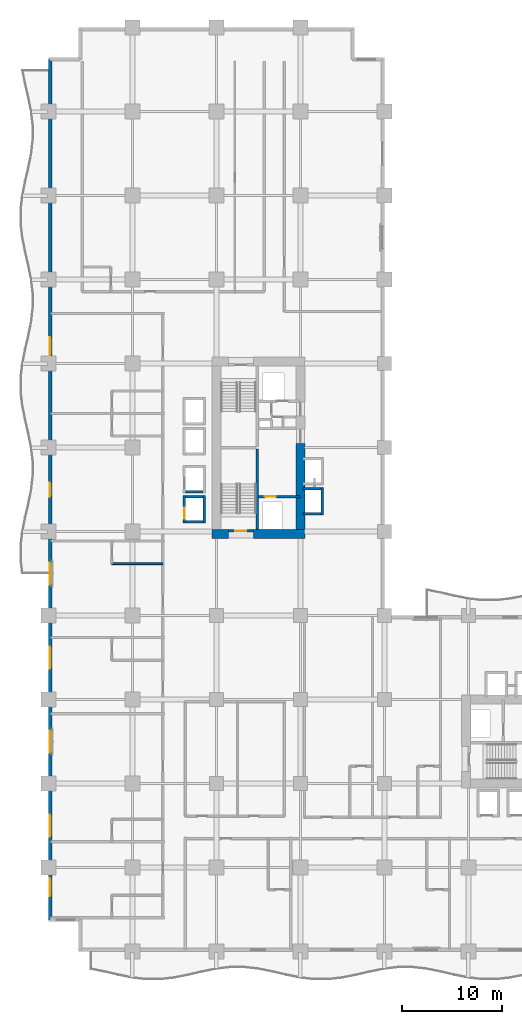
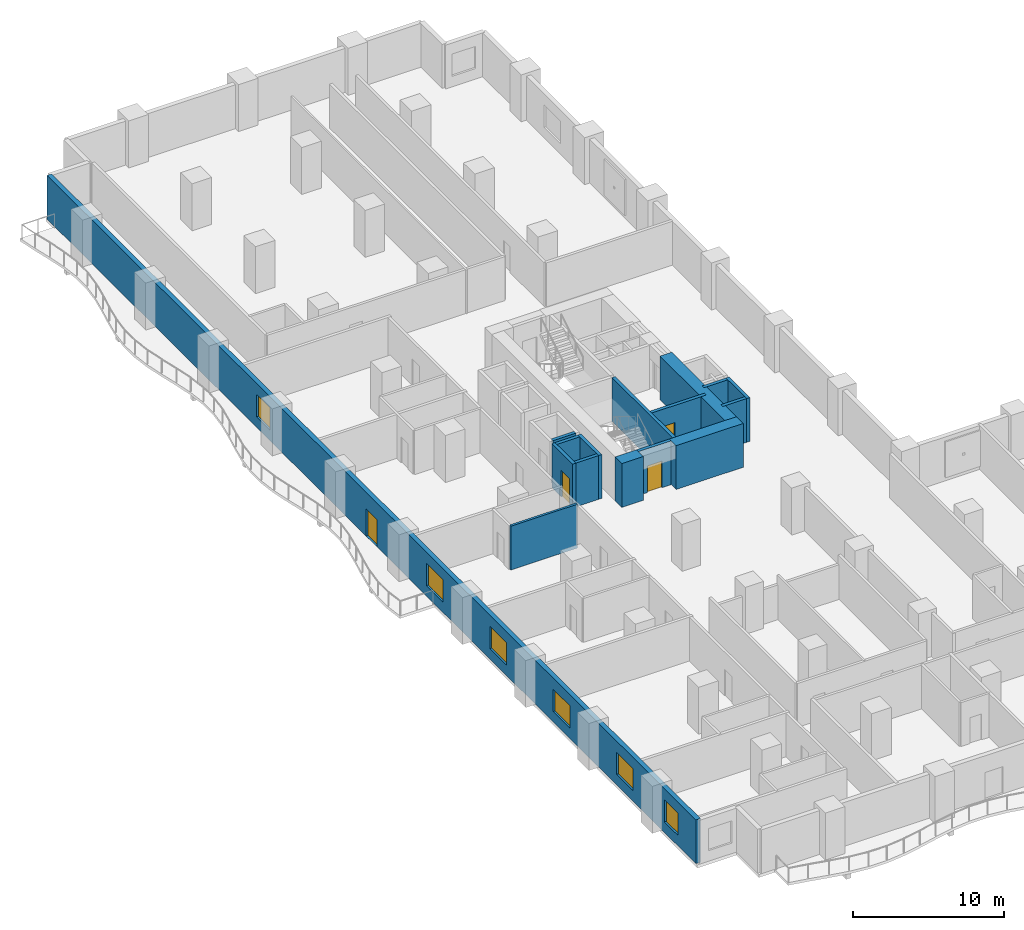
# One storey, part 9 of 20: 16 walls, 6 windows, 4 doors, 10 openings.
"""IFC4 building model written with IfcOpenShell, lengths in metres."""

import ifcopenshell
import ifcopenshell.guid

model = None  # the IFC model being written
_history = None  # IfcOwnerHistory: only IFC2X3 demands one
_inside = {}  # id of a spatial element -> (the spatial element, [elements in it])
_under = {}  # id of a project, library or spatial element -> (it, [spatial elements below it])
_declared = {}  # id of a project -> (the project, [libraries it declares])
_typed = {}  # id of a type object -> (the type object, [elements of that type])
_made_of = {}  # id of a material, layer set ... -> (it, [elements and type objects made of it])


def new_model(schema):
    """Start an empty IFC model of exactly this schema.

    Asked for "IFC4X3", IfcOpenShell would pick the latest addendum, in which some entities
    have other attributes; the version numbers below select the first issue.
    IFC2X3 requires an IfcOwnerHistory on every rooted entity: one is made here for all.
    """
    global model, _history
    if schema == "IFC4X3":
        model = ifcopenshell.file(schema_version=(4, 3, 0, 0))
    else:
        model = ifcopenshell.file(schema=schema)
    _inside.clear()
    _under.clear()
    _declared.clear()
    _typed.clear()
    _made_of.clear()
    _history = None
    if model.schema == "IFC2X3":
        org = make("IfcOrganization", Name="unknown")
        user = make(
            "IfcPersonAndOrganization",
            ThePerson=make("IfcPerson", FamilyName="unknown"),
            TheOrganization=org,
        )
        app = make(
            "IfcApplication",
            ApplicationDeveloper=org,
            Version="unknown",
            ApplicationFullName="unknown",
            ApplicationIdentifier="unknown",
        )
        _history = make(
            "IfcOwnerHistory",
            OwningUser=user,
            OwningApplication=app,
            ChangeAction="ADDED",
            CreationDate=0,
        )
    return model


def make(cls, **values):
    """One entity of the class cls with the attributes given. An attribute that is None is left unset."""
    return model.create_entity(
        cls, **{name: value for name, value in values.items() if value is not None}
    )


def rooted(cls, **values):
    """An entity with a GlobalId (a new one), such as an element, a storey or a relation."""
    return make(cls, GlobalId=ifcopenshell.guid.new(), OwnerHistory=_history, **values)


def si_unit(unit_type, name, prefix=None):
    """IfcSIUnit, for example si_unit("LENGTHUNIT", "METRE", prefix="MILLI")."""
    return make("IfcSIUnit", UnitType=unit_type, Prefix=prefix, Name=name)


def assignment(units):
    """IfcUnitAssignment: the units of a project."""
    return None if units is None else make("IfcUnitAssignment", Units=units)


def point(xyz):
    """IfcCartesianPoint."""
    return None if xyz is None else make("IfcCartesianPoint", Coordinates=xyz)


def direction(xyz):
    """IfcDirection."""
    return None if xyz is None else make("IfcDirection", DirectionRatios=xyz)


def frame(location, z_axis=None, x_axis=None):
    """IfcAxis2Placement3D, a coordinate frame: its origin and axes. An axis left out is left unset."""
    return make(
        "IfcAxis2Placement3D",
        Location=point(location),
        Axis=direction(z_axis),
        RefDirection=direction(x_axis),
    )


def frame_2d(location, x_axis=None):
    """IfcAxis2Placement2D, a coordinate frame in the plane: its origin and x axis."""
    return make(
        "IfcAxis2Placement2D", Location=point(location), RefDirection=direction(x_axis)
    )


def origin():
    """The frame at (0, 0, 0) with its axes left unset."""
    return frame((0.0, 0.0, 0.0))


def place(relative_to, where):
    """IfcLocalPlacement: puts the frame where relative to a parent placement (None: the world)."""
    return make(
        "IfcLocalPlacement", PlacementRelTo=relative_to, RelativePlacement=where
    )


def context(
    kind, dimensions, precision=None, world=None, true_north=None, identifier=None
):
    """IfcGeometricRepresentationContext, for example the 3D "Model" context."""
    return make(
        "IfcGeometricRepresentationContext",
        ContextIdentifier=identifier,
        ContextType=kind,
        CoordinateSpaceDimension=dimensions,
        Precision=precision,
        WorldCoordinateSystem=world,
        TrueNorth=true_north,
    )


def subcontext(parent, identifier, kind, view, scale=None):
    """IfcGeometricRepresentationSubContext, for example "Body" below "Model"."""
    return make(
        "IfcGeometricRepresentationSubContext",
        ContextIdentifier=identifier,
        ContextType=kind,
        ParentContext=parent,
        TargetScale=scale,
        TargetView=view,
    )


def project(units=None, contexts=None):
    """IfcProject with its units and contexts."""
    return rooted(
        "IfcProject",
        Name="project",
        RepresentationContexts=contexts,
        UnitsInContext=assignment(units),
    )


def spatial(cls, under=None, at=None, **own):
    """A site, building, storey or space (cls), placed at a placement, below another one or the project."""
    s = rooted(cls, ObjectPlacement=at, **own)
    if under is not None:
        _under.setdefault(under.id(), (under, []))[1].append(s)
    return s


def profile(cls, at=None, kind="AREA", **sizes):
    """A parametric profile (cls). Its sizes go by their IFC names, for example OverallWidth=200.0."""
    return make(cls, ProfileType=kind, Position=at, **sizes)


def rectangle(**sizes):
    """IfcRectangleProfileDef."""
    return profile("IfcRectangleProfileDef", **sizes)


def extrude(swept, where, along, depth):
    """IfcExtrudedAreaSolid: the profile swept, set in the frame where, extruded along a direction by depth."""
    return make(
        "IfcExtrudedAreaSolid",
        SweptArea=swept,
        Position=where,
        ExtrudedDirection=direction(along),
        Depth=depth,
    )


def shape(context_of_items, identifier, shape_type, items):
    """IfcShapeRepresentation: the items that make up one representation, for example the "Body"."""
    return make(
        "IfcShapeRepresentation",
        ContextOfItems=context_of_items,
        RepresentationIdentifier=identifier,
        RepresentationType=shape_type,
        Items=items,
    )


def material(Name=None, Category=None):
    """IfcMaterial."""
    return make("IfcMaterial", Name=Name, Category=Category)


def layer(
    of_material, thickness, ventilated=None, Name=None, Category=None, Priority=None
):
    """IfcMaterialLayer: one layer of a wall or slab, of a material (None: an air gap)."""
    return make(
        "IfcMaterialLayer",
        Material=of_material,
        LayerThickness=thickness,
        IsVentilated=ventilated,
        Name=Name,
        Category=Category,
        Priority=Priority,
    )


def layer_set(layers, Name=None):
    """IfcMaterialLayerSet."""
    return make("IfcMaterialLayerSet", MaterialLayers=layers, LayerSetName=Name)


def made_of(thing, what):
    """Note that an element or type object is made of a material, layer set ...; save() writes the relation."""
    if what is not None:
        _made_of.setdefault(what.id(), (what, []))[1].append(thing)
    return thing


def type_object(cls, material=None, **own):
    """A type object (cls), such as IfcWallType, which elements share."""
    return made_of(rooted(cls, **own), material)


def element(
    cls,
    number,
    at=None,
    inside=None,
    cuts=None,
    type_object=None,
    material=None,
    context=None,
    identifier="Body",
    shape_type=None,
    held_by="IfcProductDefinitionShape",
    body=None,
    shapes=None,
    **own,
):
    """One element of the class cls, such as IfcWall. Its Tag is "e" and its number.

    at: its placement. inside: the storey or other place that contains it. cuts: it is an
    opening in that element (IfcRelVoidsElement). A single representation is given by context,
    identifier, shape_type and body (its items); several are given by shapes. held_by: the class
    of the entity that holds the representations. save() writes the other relations.
    """
    e = rooted(cls, Tag="e%d" % number, ObjectPlacement=at, **own)
    if body is not None:
        shapes = [shape(context, identifier, shape_type, body)]
    if shapes is not None:
        e.Representation = make(held_by, Representations=shapes)
    if inside is not None:
        _inside.setdefault(inside.id(), (inside, []))[1].append(e)
    if cuts is not None:
        rooted(
            "IfcRelVoidsElement", RelatingBuildingElement=cuts, RelatedOpeningElement=e
        )
    if type_object is not None:
        _typed.setdefault(type_object.id(), (type_object, []))[1].append(e)
    return made_of(e, material)


def fill(opening, filler):
    """IfcRelFillsElement: the door or window that sits in an opening."""
    return rooted(
        "IfcRelFillsElement",
        RelatingOpeningElement=opening,
        RelatedBuildingElement=filler,
    )


def aggregate(whole, parts):
    """IfcRelAggregates: a whole, such as a stair, and the parts it consists of."""
    return rooted("IfcRelAggregates", RelatingObject=whole, RelatedObjects=parts)


def save(model, path):
    """Write the relations noted so far, then the file.

    IfcRelAggregates (storeys below a building ...), IfcRelContainedInSpatialStructure (elements
    in a storey), IfcRelDefinesByType, IfcRelAssociatesMaterial and IfcRelDeclares: one each for
    every whole, place, type object, material and project.
    """
    for whole, parts in _under.values():
        aggregate(whole, parts)
    for where, things in _inside.values():
        rooted(
            "IfcRelContainedInSpatialStructure",
            RelatedElements=things,
            RelatingStructure=where,
        )
    for kind, things in _typed.values():
        rooted("IfcRelDefinesByType", RelatedObjects=things, RelatingType=kind)
    for what, things in _made_of.values():
        rooted("IfcRelAssociatesMaterial", RelatedObjects=things, RelatingMaterial=what)
    for by, libraries in _declared.values():
        rooted("IfcRelDeclares", RelatingContext=by, RelatedDefinitions=libraries)
    model.write(path)


model = new_model("IFC4")

# Units and contexts
model_context = context("Model", 3, precision=1e-05, world=origin(), true_north=direction((0.0, 1.0)))
body_context = subcontext(model_context, "Body", "Model", "MODEL_VIEW")
ifc_project = project(units=[si_unit("LENGTHUNIT", "METRE"), si_unit("AREAUNIT", "SQUARE_METRE"), si_unit("VOLUMEUNIT", "CUBIC_METRE"), si_unit("PLANEANGLEUNIT", "RADIAN"), si_unit("MASSUNIT", "GRAM", prefix="KILO")], contexts=[model_context])

# Site, building, storey
site_placement = place(None, origin())
site = spatial("IfcSite", under=ifc_project, at=site_placement, CompositionType="ELEMENT")
building_placement = place(site_placement, origin())
building = spatial("IfcBuilding", under=site, at=building_placement, Name="Koriwani Terraces Tower", CompositionType="ELEMENT")
storey_placement = place(building_placement, frame((0.0, 0.0, 73.800048828125)))
storey = spatial("IfcBuildingStorey", under=building, at=storey_placement, Name="L17", CompositionType="ELEMENT", Elevation=73.800048828125)

# Walls
ifc_material_1 = material(Name="Concrete C60/75", Category="concrete")
ifc_layer_1 = layer(ifc_material_1, 0.89990234375, Name="Concrete C60/75")
ifc_layer_set_1 = layer_set([ifc_layer_1], Name="Concrete C60/75")
wall_type_1 = type_object("IfcWallType", Name="WALL_CORE_RC_900", PredefinedType="SHEAR", material=ifc_layer_set_1)
wall_1_placement = place(storey_placement, frame((16.35009765625, 41.75, 0.0), z_axis=(0.0, 0.0, 1.0), x_axis=(1.0, 0.0, 0.0)))
element("IfcWall", 1, at=wall_1_placement, inside=storey, type_object=wall_type_1, Name="L17 West Split Core Shear Wall S1", PredefinedType="SHEAR", context=body_context, shape_type="SweptSolid", body=[
    extrude(rectangle(XDim=1.64990234375, YDim=0.89990234375, at=frame_2d((0.824951171875, 0.0))), origin(), (0.0, 0.0, 1.0), 3.550048828125),
])
wall_2_placement = place(storey_placement, frame((20.5, 41.75, 0.0), z_axis=(0.0, 0.0, 1.0), x_axis=(1.0, 0.0, 0.0)))
element("IfcWall", 2, at=wall_2_placement, inside=storey, type_object=wall_type_1, Name="L17 West Split Core Shear Wall S2", PredefinedType="SHEAR", context=body_context, shape_type="SweptSolid", body=[
    extrude(rectangle(XDim=5.14990234375, YDim=0.89990234375, at=frame_2d((2.574951171875, 0.0))), origin(), (0.0, 0.0, 1.0), 3.550048828125),
])
wall_3_placement = place(storey_placement, frame((25.199951171875, 42.199951171875, 0.0), z_axis=(0.0, 0.0, 1.0), x_axis=(0.0, 1.0, 0.0)))
element("IfcWall", 3, at=wall_3_placement, inside=storey, type_object=wall_type_1, Name="L17 West Split Core Shear Wall E1", PredefinedType="SHEAR", context=body_context, shape_type="SweptSolid", body=[
    extrude(rectangle(XDim=8.60009765625, YDim=0.89990234375, at=frame_2d((4.300048828125, 0.0))), origin(), (0.0, 0.0, 1.0), 3.550048828125),
])

# Wall, openings, door, windows
ifc_material_2 = material(Name="Concrete C50/60", Category="concrete")
ifc_layer_2 = layer(ifc_material_2, 0.35009765625, Name="Concrete C50/60")
ifc_layer_set_2 = layer_set([ifc_layer_2], Name="Concrete C50/60")
wall_type_2 = type_object("IfcWallType", Name="WALL_EXT_BRUTALIST_350", PredefinedType="STANDARD", material=ifc_layer_set_2)
wall_4_placement = place(storey_placement, frame((0.175048828125, 3.175048828125, 0.0), z_axis=(0.0, 0.0, 1.0), x_axis=(0.0, 1.0, 0.0)))
wall_4 = element("IfcWall", 4, at=wall_4_placement, inside=storey, type_object=wall_type_2, Name="L17 Fair-Faced Brutalist Exterior Wall (W)", PredefinedType="STANDARD", context=body_context, shape_type="SweptSolid", body=[
    extrude(rectangle(XDim=86.050048828125, YDim=0.35009765625, at=frame_2d((43.02490234375, 0.0))), origin(), (0.0, 0.0, 1.0), 3.550048828125),
])
opening_1_placement = place(wall_4_placement, frame((42.324951171875, 0.0, 0.0)))
opening_1 = element("IfcOpeningElement", 5, at=opening_1_placement, cuts=wall_4, Name="Opening D-09", PredefinedType="OPENING", context=body_context, shape_type="SweptSolid", body=[
    extrude(rectangle(XDim=1.39990234375, YDim=2.199951171875, at=frame_2d((0.699951171875, 1.10009765625))), frame((0.0, 0.18505859375, 0.0), z_axis=(0.0, -1.0, 0.0), x_axis=(1.0, 0.0, 0.0)), (0.0, 0.0, 1.0), 0.3701171875),
])
opening_2_placement = place(wall_4_placement, frame((8.324951171875, 0.0, 0.85009765625)))
opening_2 = element("IfcOpeningElement", 6, at=opening_2_placement, cuts=wall_4, Name="Opening W-01", PredefinedType="OPENING", context=body_context, shape_type="SweptSolid", body=[
    extrude(rectangle(XDim=2.199951171875, YDim=1.800048828125, at=frame_2d((1.10009765625, 0.89990234375))), frame((0.0, 0.18505859375, 0.0), z_axis=(0.0, -1.0, 0.0), x_axis=(1.0, 0.0, 0.0)), (0.0, 0.0, 1.0), 0.3701171875),
])
opening_3_placement = place(wall_4_placement, frame((16.72509765625, 0.0, 0.85009765625)))
opening_3 = element("IfcOpeningElement", 7, at=opening_3_placement, cuts=wall_4, Name="Opening W-01", PredefinedType="OPENING", context=body_context, shape_type="SweptSolid", body=[
    extrude(rectangle(XDim=2.199951171875, YDim=1.800048828125, at=frame_2d((1.10009765625, 0.89990234375))), frame((0.0, 0.18505859375, 0.0), z_axis=(0.0, -1.0, 0.0), x_axis=(1.0, 0.0, 0.0)), (0.0, 0.0, 1.0), 0.3701171875),
])
opening_4_placement = place(wall_4_placement, frame((25.125, 0.0, 0.85009765625)))
opening_4 = element("IfcOpeningElement", 8, at=opening_4_placement, cuts=wall_4, Name="Opening W-01", PredefinedType="OPENING", context=body_context, shape_type="SweptSolid", body=[
    extrude(rectangle(XDim=2.199951171875, YDim=1.800048828125, at=frame_2d((1.10009765625, 0.89990234375))), frame((0.0, 0.18505859375, 0.0), z_axis=(0.0, -1.0, 0.0), x_axis=(1.0, 0.0, 0.0)), (0.0, 0.0, 1.0), 0.3701171875),
])
opening_5_placement = place(wall_4_placement, frame((33.52490234375, 0.0, 0.85009765625)))
opening_5 = element("IfcOpeningElement", 9, at=opening_5_placement, cuts=wall_4, Name="Opening W-01", PredefinedType="OPENING", context=body_context, shape_type="SweptSolid", body=[
    extrude(rectangle(XDim=2.199951171875, YDim=1.800048828125, at=frame_2d((1.10009765625, 0.89990234375))), frame((0.0, 0.18505859375, 0.0), z_axis=(0.0, -1.0, 0.0), x_axis=(1.0, 0.0, 0.0)), (0.0, 0.0, 1.0), 0.3701171875),
])
opening_6_placement = place(wall_4_placement, frame((2.375, 0.0, 0.85009765625)))
opening_6 = element("IfcOpeningElement", 10, at=opening_6_placement, cuts=wall_4, Name="Opening W-04", PredefinedType="OPENING", context=body_context, shape_type="SweptSolid", body=[
    extrude(rectangle(XDim=1.800048828125, YDim=1.800048828125, at=frame_2d((0.89990234375, 0.89990234375))), frame((0.0, 0.18505859375, 0.0), z_axis=(0.0, -1.0, 0.0), x_axis=(1.0, 0.0, 0.0)), (0.0, 0.0, 1.0), 0.3701171875),
])
opening_7_placement = place(wall_4_placement, frame((56.47509765625, 0.0, 0.85009765625)))
opening_7 = element("IfcOpeningElement", 11, at=opening_7_placement, cuts=wall_4, Name="Opening W-04", PredefinedType="OPENING", context=body_context, shape_type="SweptSolid", body=[
    extrude(rectangle(XDim=1.800048828125, YDim=1.800048828125, at=frame_2d((0.89990234375, 0.89990234375))), frame((0.0, 0.18505859375, 0.0), z_axis=(0.0, -1.0, 0.0), x_axis=(1.0, 0.0, 0.0)), (0.0, 0.0, 1.0), 0.3701171875),
])
ifc_material_3 = material(Name="Anodised Bronze Aluminium", Category="aluminium")
door_type_1 = type_object("IfcDoorType", Name="DOOR_BALCONY_GLAZED_1400X2200", OperationType="NOTDEFINED", PredefinedType="DOOR", material=ifc_material_3)
door_1_placement = place(opening_1_placement, origin())
door_1 = element("IfcDoor", 12, at=door_1_placement, inside=storey, type_object=door_type_1, Name="L17 West Balcony Glazed Door", OperationType="SINGLE_SWING_LEFT", OverallHeight=2.199951171875, OverallWidth=1.39990234375, PredefinedType="DOOR", context=body_context, shape_type="SweptSolid", body=[
    extrude(rectangle(XDim=1.39990234375, YDim=2.199951171875, at=frame_2d((0.699951171875, 1.10009765625))), frame((0.0, 0.02490234375, 0.0), z_axis=(0.0, -1.0, 0.0), x_axis=(1.0, 0.0, 0.0)), (0.0, 0.0, 1.0), 0.050048828125),
])
fill(opening_1, door_1)
ifc_material_4 = material(Name="Tempered Laminated Low-E Glass", Category="glass")
window_type_1 = type_object("IfcWindowType", Name="WIN_HOTEL_STD_2200X1800", PartitioningType="DOUBLE_PANEL_VERTICAL", PredefinedType="WINDOW", material=ifc_material_4)
window_1_placement = place(opening_2_placement, origin())
window_1 = element("IfcWindow", 13, at=window_1_placement, inside=storey, type_object=window_type_1, Name="L17 Exterior Window (W-3)", OverallHeight=1.800048828125, OverallWidth=2.199951171875, PartitioningType="SINGLE_PANEL", PredefinedType="WINDOW", context=body_context, shape_type="SweptSolid", body=[
    extrude(rectangle(XDim=2.199951171875, YDim=1.800048828125, at=frame_2d((1.10009765625, 0.89990234375))), frame((0.0, 0.030029296875, 0.0), z_axis=(0.0, -1.0, 0.0), x_axis=(1.0, 0.0, 0.0)), (0.0, 0.0, 1.0), 0.06005859375),
])
fill(opening_2, window_1)
window_2_placement = place(opening_3_placement, origin())
window_2 = element("IfcWindow", 14, at=window_2_placement, inside=storey, type_object=window_type_1, Name="L17 Exterior Window (W-6)", OverallHeight=1.800048828125, OverallWidth=2.199951171875, PartitioningType="SINGLE_PANEL", PredefinedType="WINDOW", context=body_context, shape_type="SweptSolid", body=[
    extrude(rectangle(XDim=2.199951171875, YDim=1.800048828125, at=frame_2d((1.10009765625, 0.89990234375))), frame((0.0, 0.030029296875, 0.0), z_axis=(0.0, -1.0, 0.0), x_axis=(1.0, 0.0, 0.0)), (0.0, 0.0, 1.0), 0.06005859375),
])
fill(opening_3, window_2)
window_3_placement = place(opening_4_placement, origin())
window_3 = element("IfcWindow", 15, at=window_3_placement, inside=storey, type_object=window_type_1, Name="L17 Exterior Window (W-9)", OverallHeight=1.800048828125, OverallWidth=2.199951171875, PartitioningType="SINGLE_PANEL", PredefinedType="WINDOW", context=body_context, shape_type="SweptSolid", body=[
    extrude(rectangle(XDim=2.199951171875, YDim=1.800048828125, at=frame_2d((1.10009765625, 0.89990234375))), frame((0.0, 0.030029296875, 0.0), z_axis=(0.0, -1.0, 0.0), x_axis=(1.0, 0.0, 0.0)), (0.0, 0.0, 1.0), 0.06005859375),
])
fill(opening_4, window_3)
window_4_placement = place(opening_5_placement, origin())
window_4 = element("IfcWindow", 16, at=window_4_placement, inside=storey, type_object=window_type_1, Name="L17 Exterior Window (W-12)", OverallHeight=1.800048828125, OverallWidth=2.199951171875, PartitioningType="SINGLE_PANEL", PredefinedType="WINDOW", context=body_context, shape_type="SweptSolid", body=[
    extrude(rectangle(XDim=2.199951171875, YDim=1.800048828125, at=frame_2d((1.10009765625, 0.89990234375))), frame((0.0, 0.030029296875, 0.0), z_axis=(0.0, -1.0, 0.0), x_axis=(1.0, 0.0, 0.0)), (0.0, 0.0, 1.0), 0.06005859375),
])
fill(opening_5, window_4)
window_type_2 = type_object("IfcWindowType", Name="WIN_RES_BED_1800X1800", PartitioningType="DOUBLE_PANEL_VERTICAL", PredefinedType="WINDOW", material=ifc_material_4)
window_5_placement = place(opening_6_placement, origin())
window_5 = element("IfcWindow", 17, at=window_5_placement, inside=storey, type_object=window_type_2, Name="L17 Exterior Window (W-R36)", OverallHeight=1.800048828125, OverallWidth=1.800048828125, PartitioningType="SINGLE_PANEL", PredefinedType="WINDOW", context=body_context, shape_type="SweptSolid", body=[
    extrude(rectangle(XDim=1.800048828125, YDim=1.800048828125, at=frame_2d((0.89990234375, 0.89990234375))), frame((0.0, 0.030029296875, 0.0), z_axis=(0.0, -1.0, 0.0), x_axis=(1.0, 0.0, 0.0)), (0.0, 0.0, 1.0), 0.06005859375),
])
fill(opening_6, window_5)
window_6_placement = place(opening_7_placement, origin())
window_6 = element("IfcWindow", 18, at=window_6_placement, inside=storey, type_object=window_type_2, Name="L17 Exterior Window (W-R46)", OverallHeight=1.800048828125, OverallWidth=1.800048828125, PartitioningType="SINGLE_PANEL", PredefinedType="WINDOW", context=body_context, shape_type="SweptSolid", body=[
    extrude(rectangle(XDim=1.800048828125, YDim=1.800048828125, at=frame_2d((0.89990234375, 0.89990234375))), frame((0.0, 0.030029296875, 0.0), z_axis=(0.0, -1.0, 0.0), x_axis=(1.0, 0.0, 0.0)), (0.0, 0.0, 1.0), 0.06005859375),
])
fill(opening_7, window_6)

# Walls
ifc_material_5 = material(Name="Fire-Rated Acoustic Gypsum Partition", Category="masonry")
ifc_layer_3 = layer(ifc_material_5, 0.179931640625, Name="Fire-Rated Acoustic Gypsum Partition")
ifc_layer_set_3 = layer_set([ifc_layer_3], Name="Fire-Rated Acoustic Gypsum Partition")
wall_type_3 = type_object("IfcWallType", Name="WALL_PLUMBING_180", PredefinedType="PLUMBINGWALL", material=ifc_layer_set_3)
wall_5_placement = place(storey_placement, frame((6.35009765625, 38.800048828125, 0.0), z_axis=(0.0, 0.0, 1.0), x_axis=(1.0, 0.0, 0.0)))
element("IfcWall", 19, at=wall_5_placement, inside=storey, type_object=wall_type_3, Name="L17 Interior Wall WBTH2-L17-NW-3", PredefinedType="PLUMBINGWALL", context=body_context, shape_type="SweptSolid", body=[
    extrude(rectangle(XDim=5.099853515625, YDim=0.179931640625, at=frame_2d((2.5498046875, 0.0))), origin(), (0.0, 0.0, 1.0), 3.550048828125),
])
ifc_material_6 = material(Name="Concrete C40/50", Category="concrete")
ifc_layer_4 = layer(ifc_material_6, 0.25, Name="Concrete C40/50")
ifc_layer_set_4 = layer_set([ifc_layer_4], Name="Concrete C40/50")
wall_type_4 = type_object("IfcWallType", Name="WALL_SHAFT_RATED_250", PredefinedType="SOLIDWALL", material=ifc_layer_set_4)
wall_6_placement = place(storey_placement, frame((20.875, 42.199951171875, 0.0), z_axis=(0.0, 0.0, 1.0), x_axis=(0.0, 1.0, 0.0)))
element("IfcWall", 20, at=wall_6_placement, inside=storey, type_object=wall_type_4, Name="L17 West Split Core Web Wall MID1", PredefinedType="SOLIDWALL", context=body_context, shape_type="SweptSolid", body=[
    extrude(rectangle(XDim=8.050048828125, YDim=0.25, at=frame_2d((4.02490234375, 0.0))), origin(), (0.0, 0.0, 1.0), 3.550048828125),
])

# Wall, opening, door
wall_7_placement = place(storey_placement, frame((18.0, 42.074951171875, 0.0), z_axis=(0.0, 0.0, 1.0), x_axis=(1.0, 0.0, 0.0)))
wall_7 = element("IfcWall", 21, at=wall_7_placement, inside=storey, type_object=wall_type_4, Name="L17 Interior Wall WIN-CW-L17-STS", PredefinedType="SOLIDWALL", context=body_context, shape_type="SweptSolid", body=[
    extrude(rectangle(XDim=2.5, YDim=0.25, at=frame_2d((1.25, 0.0))), origin(), (0.0, 0.0, 1.0), 3.550048828125),
])
opening_8_placement = place(wall_7_placement, frame((0.699951171875, 0.0, 0.0)))
opening_8 = element("IfcOpeningElement", 22, at=opening_8_placement, cuts=wall_7, Name="Opening D-03", PredefinedType="OPENING", context=body_context, shape_type="SweptSolid", body=[
    extrude(rectangle(XDim=1.10009765625, YDim=2.14990234375, at=frame_2d((0.550048828125, 1.074951171875))), frame((0.0, 0.135009765625, 0.0), z_axis=(0.0, -1.0, 0.0), x_axis=(1.0, 0.0, 0.0)), (0.0, 0.0, 1.0), 0.27001953125),
])
ifc_material_7 = material(Name="Steel ASTM A572 Grade 50", Category="steel")
door_type_2 = type_object("IfcDoorType", Name="DOOR_STAIR_FIRE_1100X2150", OperationType="NOTDEFINED", PredefinedType="DOOR", material=ifc_material_7)
door_2_placement = place(opening_8_placement, origin())
door_2 = element("IfcDoor", 23, at=door_2_placement, inside=storey, type_object=door_type_2, Name="L17 Exit Stair ST-W1 Door", OperationType="SINGLE_SWING_LEFT", OverallHeight=2.14990234375, OverallWidth=1.10009765625, PredefinedType="DOOR", context=body_context, shape_type="SweptSolid", body=[
    extrude(rectangle(XDim=1.10009765625, YDim=2.14990234375, at=frame_2d((0.550048828125, 1.074951171875))), frame((0.0, 0.02490234375, 0.0), z_axis=(0.0, -1.0, 0.0), x_axis=(1.0, 0.0, 0.0)), (0.0, 0.0, 1.0), 0.050048828125),
])
fill(opening_8, door_2)

wall_8_placement = place(storey_placement, frame((21.0, 45.5, 0.0), z_axis=(0.0, 0.0, 1.0), x_axis=(1.0, 0.0, 0.0)))
wall_8 = element("IfcWall", 24, at=wall_8_placement, inside=storey, type_object=wall_type_4, Name="L17 Interior Wall WIN-CW-L17-FE", PredefinedType="SOLIDWALL", context=body_context, shape_type="SweptSolid", body=[
    extrude(rectangle(XDim=4.14990234375, YDim=0.25, at=frame_2d((2.074951171875, 0.0))), origin(), (0.0, 0.0, 1.0), 3.550048828125),
])
opening_9_placement = place(wall_8_placement, frame((0.64990234375, 0.0, 0.0)))
opening_9 = element("IfcOpeningElement", 25, at=opening_9_placement, cuts=wall_8, Name="Opening LD-01", PredefinedType="OPENING", context=body_context, shape_type="SweptSolid", body=[
    extrude(rectangle(XDim=1.10009765625, YDim=2.14990234375, at=frame_2d((0.550048828125, 1.074951171875))), frame((0.0, 0.135009765625, 0.0), z_axis=(0.0, -1.0, 0.0), x_axis=(1.0, 0.0, 0.0)), (0.0, 0.0, 1.0), 0.27001953125),
])
door_type_3 = type_object("IfcDoorType", Name="DOOR_LIFT_LANDING_1100X2200", OperationType="NOTDEFINED", PredefinedType="DOOR", material=ifc_material_7)
door_3_placement = place(opening_9_placement, origin())
door_3 = element("IfcDoor", 26, at=door_3_placement, inside=storey, type_object=door_type_3, Name="L17 Firefighting Lift FE-01 Landing Door", OperationType="SLIDING_TO_LEFT", OverallHeight=2.14990234375, OverallWidth=1.10009765625, PredefinedType="DOOR", context=body_context, shape_type="SweptSolid", body=[
    extrude(rectangle(XDim=1.10009765625, YDim=2.14990234375, at=frame_2d((0.550048828125, 1.074951171875))), frame((0.0, 0.02490234375, 0.0), z_axis=(0.0, -1.0, 0.0), x_axis=(1.0, 0.0, 0.0)), (0.0, 0.0, 1.0), 0.050048828125),
])
fill(opening_9, door_3)

wall_9_placement = place(storey_placement, frame((13.60009765625, 42.875, 0.0), z_axis=(0.0, 0.0, 1.0), x_axis=(0.0, 1.0, 0.0)))
wall_9 = element("IfcWall", 27, at=wall_9_placement, inside=storey, type_object=wall_type_4, Name="L17 Interior Wall WIN-LF-PE-L1-L17-F", PredefinedType="SOLIDWALL", context=body_context, shape_type="SweptSolid", body=[
    extrude(rectangle(XDim=2.75, YDim=0.25, at=frame_2d((1.375, 0.0))), origin(), (0.0, 0.0, 1.0), 3.550048828125),
])
opening_10_placement = place(wall_9_placement, frame((0.39990234375, 0.0, 0.0)))
opening_10 = element("IfcOpeningElement", 28, at=opening_10_placement, cuts=wall_9, Name="Opening LD-01", PredefinedType="OPENING", context=body_context, shape_type="SweptSolid", body=[
    extrude(rectangle(XDim=1.10009765625, YDim=2.14990234375, at=frame_2d((0.550048828125, 1.074951171875))), frame((0.0, 0.135009765625, 0.0), z_axis=(0.0, -1.0, 0.0), x_axis=(1.0, 0.0, 0.0)), (0.0, 0.0, 1.0), 0.27001953125),
])
door_4_placement = place(opening_10_placement, origin())
door_4 = element("IfcDoor", 29, at=door_4_placement, inside=storey, type_object=door_type_3, Name="L17 Passenger Lift PE-L1 Landing Door", OperationType="SLIDING_TO_LEFT", OverallHeight=2.14990234375, OverallWidth=1.10009765625, PredefinedType="DOOR", context=body_context, shape_type="SweptSolid", body=[
    extrude(rectangle(XDim=1.10009765625, YDim=2.14990234375, at=frame_2d((0.550048828125, 1.074951171875))), frame((0.0, 0.02490234375, 0.0), z_axis=(0.0, -1.0, 0.0), x_axis=(1.0, 0.0, 0.0)), (0.0, 0.0, 1.0), 0.050048828125),
])
fill(opening_10, door_4)

# Walls
wall_10_placement = place(storey_placement, frame((15.60009765625, 42.875, 0.0), z_axis=(0.0, 0.0, 1.0), x_axis=(0.0, 1.0, 0.0)))
element("IfcWall", 30, at=wall_10_placement, inside=storey, type_object=wall_type_4, Name="L17 Interior Wall WIN-LF-PE-L1-L17-B", PredefinedType="SOLIDWALL", context=body_context, shape_type="SweptSolid", body=[
    extrude(rectangle(XDim=2.75, YDim=0.25, at=frame_2d((1.375, 0.0))), origin(), (0.0, 0.0, 1.0), 3.550048828125),
])
for number, where, z_axis, x_axis, name in (
    (31, (13.72509765625, 43.0, 0.0), (0.0, 0.0, 1.0), (1.0, 0.0, 0.0), "L17 Interior Wall WIN-LF-PE-L1-L17-S"),
    (32, (13.72509765625, 45.5, 0.0), (0.0, 0.0, 1.0), (1.0, 0.0, 0.0), "L17 Interior Wall WIN-LF-PE-L1-L17-N"),
    (33, (13.72509765625, 46.0, 0.0), (0.0, 0.0, 1.0), (1.0, 0.0, 0.0), "L17 Interior Wall WIN-LF-PE-L2-L17-S"),
):
    element("IfcWall", number, at=place(storey_placement, frame(where, z_axis=z_axis, x_axis=x_axis)), inside=storey, type_object=wall_type_4, Name=name, PredefinedType="SOLIDWALL", context=body_context, shape_type="SweptSolid", body=[
        extrude(rectangle(XDim=1.75, YDim=0.25, at=frame_2d((0.875, 0.0))), origin(), (0.0, 0.0, 1.0), 3.550048828125),
    ])
wall_11_placement = place(storey_placement, frame((27.39990234375, 43.675048828125, 0.0), z_axis=(0.0, 0.0, 1.0), x_axis=(0.0, 1.0, 0.0)))
element("IfcWall", 34, at=wall_11_placement, inside=storey, type_object=wall_type_4, Name="L17 Interior Wall WIN-LF-PE-H1-L17-F", PredefinedType="SOLIDWALL", context=body_context, shape_type="SweptSolid", body=[
    extrude(rectangle(XDim=2.75, YDim=0.25, at=frame_2d((1.375, 0.0))), origin(), (0.0, 0.0, 1.0), 3.550048828125),
])
for number, where, z_axis, x_axis, name in (
    (35, (25.449951171875, 43.800048828125, 0.0), (0.0, 0.0, 1.0), (1.0, 0.0, 0.0), "L17 Interior Wall WIN-LF-PE-H1-L17-S"),
    (36, (25.449951171875, 46.300048828125, 0.0), (0.0, 0.0, 1.0), (1.0, 0.0, 0.0), "L17 Interior Wall WIN-LF-PE-H1-L17-N"),
):
    element("IfcWall", number, at=place(storey_placement, frame(where, z_axis=z_axis, x_axis=x_axis)), inside=storey, type_object=wall_type_4, Name=name, PredefinedType="SOLIDWALL", context=body_context, shape_type="SweptSolid", body=[
        extrude(rectangle(XDim=1.824951171875, YDim=0.25, at=frame_2d((0.91259765625, 0.0))), origin(), (0.0, 0.0, 1.0), 3.550048828125),
    ])

save(model, "model.ifc")
